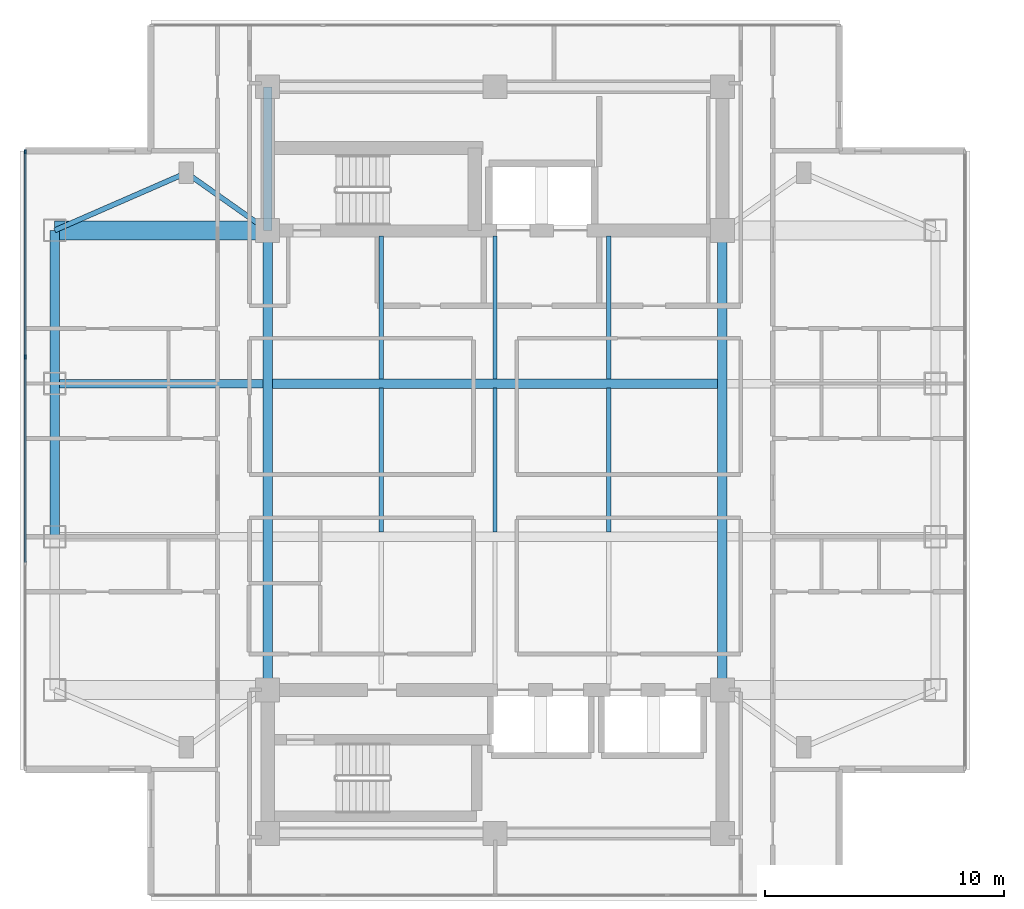
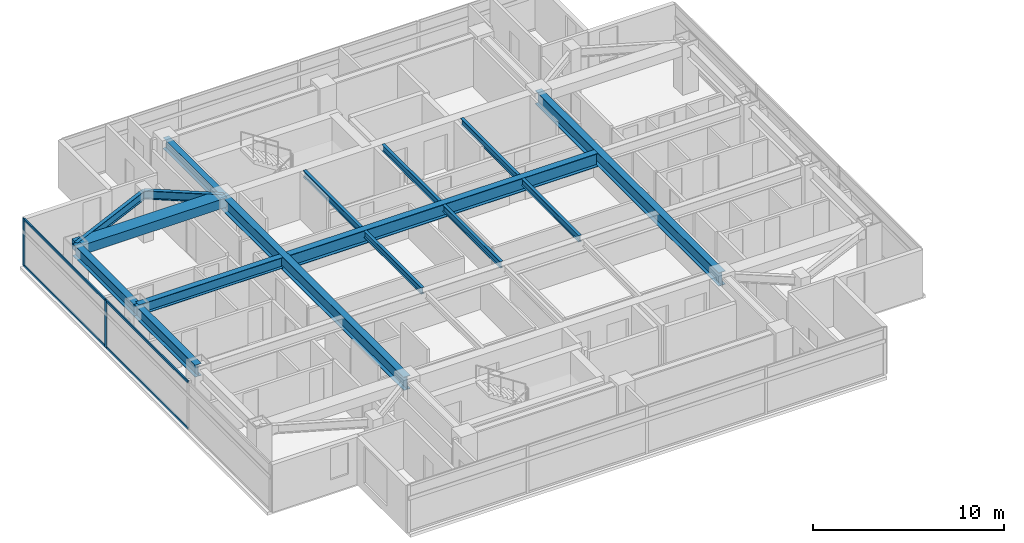
# One storey, part 3 of 24: 16 beams, 6 members, 1 element without a shape of its own.
"""IFC4 building model written with IfcOpenShell, lengths in metres."""

from ifc_helpers import new_model, si_unit, direction, frame, origin, origin_2d, place, context, subcontext, project, spatial, rectangle, i_section, extrude, material, material_profile, profile_set, type_object, element, aggregate, save


model = new_model("IFC4")

# Units and contexts
model_context = context("Model", 3, precision=1e-05, world=origin(), true_north=direction((0.0, 1.0)))
body_context = subcontext(model_context, "Body", "Model", "MODEL_VIEW")
ifc_project = project(units=[si_unit("LENGTHUNIT", "METRE"), si_unit("AREAUNIT", "SQUARE_METRE"), si_unit("VOLUMEUNIT", "CUBIC_METRE"), si_unit("PLANEANGLEUNIT", "RADIAN"), si_unit("MASSUNIT", "GRAM", prefix="KILO")], contexts=[model_context])

# Site, building, storey
site_placement = place(None, origin())
site = spatial("IfcSite", under=ifc_project, at=site_placement, CompositionType="ELEMENT")
building_placement = place(site_placement, origin())
building = spatial("IfcBuilding", under=site, at=building_placement, Name="Mirazonda Arch Towers", CompositionType="ELEMENT")
storey_placement = place(building_placement, frame((0.0, 0.0, 154.39990234375)))
storey = spatial("IfcBuildingStorey", under=building, at=storey_placement, Name="L43", CompositionType="ELEMENT", Elevation=154.39990234375)

# Beams
ifc_material_1 = material(Name="Steel ASTM A992 Grade 50", Category="steel")
ifc_material_profile_1 = material_profile(ifc_material_1, i_section(OverallWidth=0.381103515625, OverallDepth=0.77294921875, WebThickness=0.0166015625, FlangeThickness=0.027099609375, at=origin_2d()), Name="W30X173")
ifc_profile_set_1 = profile_set([ifc_material_profile_1], Name="Steel ASTM A992 Grade 50")
beam_type_1 = type_object("IfcBeamType", Name="BM-EXT-W30X173", PredefinedType="USERDEFINED", material=ifc_profile_set_1)
beam_1_placement = place(storey_placement, frame((2.10009765625, 24.800048828125, 2.66357421875), z_axis=(0.0, 1.0, 0.0), x_axis=(-1.0, 0.0, 0.0)))
element("IfcBeam", 1, at=beam_1_placement, inside=storey, type_object=beam_type_1, Name="L43 Floor Beam BM-T1-L43-NS-W-24", ObjectType="GIRDER", PredefinedType="USERDEFINED", context=body_context, shape_type="SweptSolid", body=[
    extrude(i_section(OverallWidth=0.381103515625, OverallDepth=0.77294921875, WebThickness=0.0166015625, FlangeThickness=0.027099609375, at=origin_2d()), origin(), (0.0, 0.0, 1.0), 6.39990234375),
])
beam_2_placement = place(storey_placement, frame((2.10009765625, 31.199951171875, 2.66357421875), z_axis=(0.0, 1.0, 0.0), x_axis=(-1.0, 0.0, 0.0)))
element("IfcBeam", 2, at=beam_2_placement, inside=storey, type_object=beam_type_1, Name="L43 Floor Beam BM-T1-L43-NS-W-31", ObjectType="GIRDER", PredefinedType="USERDEFINED", context=body_context, shape_type="SweptSolid", body=[
    extrude(i_section(OverallWidth=0.381103515625, OverallDepth=0.77294921875, WebThickness=0.0166015625, FlangeThickness=0.027099609375, at=origin_2d()), origin(), (0.0, 0.0, 1.0), 6.400146484375),
])
ifc_material_profile_2 = material_profile(ifc_material_1, i_section(OverallWidth=0.180908203125, OverallDepth=0.4169921875, WebThickness=0.010986328125, FlangeThickness=0.018310546875, at=origin_2d()), Name="W16X57")
ifc_profile_set_2 = profile_set([ifc_material_profile_2], Name="Steel ASTM A992 Grade 50")
beam_type_2 = type_object("IfcBeamType", Name="BM-INT-W16X57", PredefinedType="JOIST", material=ifc_profile_set_2)
beam_3_placement = place(storey_placement, frame((15.75, 31.39599609375, 2.841552734375), z_axis=(0.0, 1.0, 0.0), x_axis=(-1.0, 0.0, 0.0)))
element("IfcBeam", 3, at=beam_3_placement, inside=storey, type_object=beam_type_2, Name="L43 Floor Beam BM-T1-L43-J-157-31", PredefinedType="JOIST", context=body_context, shape_type="SweptSolid", body=[
    extrude(i_section(OverallWidth=0.180908203125, OverallDepth=0.4169921875, WebThickness=0.010986328125, FlangeThickness=0.018310546875, at=origin_2d()), origin(), (0.0, 0.0, 1.0), 5.964111328125),
])
beam_4_placement = place(storey_placement, frame((15.75, 24.99609375, 2.841552734375), z_axis=(0.0, 1.0, 0.0), x_axis=(-1.0, 0.0, 0.0)))
element("IfcBeam", 4, at=beam_4_placement, inside=storey, type_object=beam_type_2, Name="L43 Floor Beam BM-T1-L43-J-157-24", PredefinedType="JOIST", context=body_context, shape_type="SweptSolid", body=[
    extrude(i_section(OverallWidth=0.180908203125, OverallDepth=0.4169921875, WebThickness=0.010986328125, FlangeThickness=0.018310546875, at=origin_2d()), origin(), (0.0, 0.0, 1.0), 6.0078125),
])
beam_5_placement = place(storey_placement, frame((20.5, 31.39599609375, 2.841552734375), z_axis=(0.0, 1.0, 0.0), x_axis=(-1.0, 0.0, 0.0)))
element("IfcBeam", 5, at=beam_5_placement, inside=storey, type_object=beam_type_2, Name="L43 Floor Beam BM-T1-L43-J-205-31", PredefinedType="JOIST", context=body_context, shape_type="SweptSolid", body=[
    extrude(i_section(OverallWidth=0.180908203125, OverallDepth=0.4169921875, WebThickness=0.010986328125, FlangeThickness=0.018310546875, at=origin_2d()), origin(), (0.0, 0.0, 1.0), 5.964111328125),
])
beam_6_placement = place(storey_placement, frame((20.5, 24.99609375, 2.841552734375), z_axis=(0.0, 1.0, 0.0), x_axis=(-1.0, 0.0, 0.0)))
element("IfcBeam", 6, at=beam_6_placement, inside=storey, type_object=beam_type_2, Name="L43 Floor Beam BM-T1-L43-J-205-24", PredefinedType="JOIST", context=body_context, shape_type="SweptSolid", body=[
    extrude(i_section(OverallWidth=0.180908203125, OverallDepth=0.4169921875, WebThickness=0.010986328125, FlangeThickness=0.018310546875, at=origin_2d()), origin(), (0.0, 0.0, 1.0), 6.0078125),
])
beam_7_placement = place(storey_placement, frame((25.25, 31.39599609375, 2.841552734375), z_axis=(0.0, 1.0, 0.0), x_axis=(-1.0, 0.0, 0.0)))
element("IfcBeam", 7, at=beam_7_placement, inside=storey, type_object=beam_type_2, Name="L43 Floor Beam BM-T1-L43-J-252-31", PredefinedType="JOIST", context=body_context, shape_type="SweptSolid", body=[
    extrude(i_section(OverallWidth=0.180908203125, OverallDepth=0.4169921875, WebThickness=0.010986328125, FlangeThickness=0.018310546875, at=origin_2d()), origin(), (0.0, 0.0, 1.0), 5.964111328125),
])
beam_8_placement = place(storey_placement, frame((25.25, 24.99609375, 2.841552734375), z_axis=(0.0, 1.0, 0.0), x_axis=(-1.0, 0.0, 0.0)))
element("IfcBeam", 8, at=beam_8_placement, inside=storey, type_object=beam_type_2, Name="L43 Floor Beam BM-T1-L43-J-252-24", PredefinedType="JOIST", context=body_context, shape_type="SweptSolid", body=[
    extrude(i_section(OverallWidth=0.180908203125, OverallDepth=0.4169921875, WebThickness=0.010986328125, FlangeThickness=0.018310546875, at=origin_2d()), origin(), (0.0, 0.0, 1.0), 6.0078125),
])
ifc_material_profile_3 = material_profile(ifc_material_1, i_section(OverallWidth=0.214111328125, OverallDepth=0.549072265625, WebThickness=0.0146484375, FlangeThickness=0.023681640625, at=origin_2d()), Name="W21X93")
ifc_profile_set_3 = profile_set([ifc_material_profile_3], Name="Steel ASTM A992 Grade 50")
beam_type_3 = type_object("IfcBeamType", Name="BM-INT-W21X93", PredefinedType="BEAM", material=ifc_profile_set_3)
beam_9_placement = place(storey_placement, frame((7.60009765625, 40.0, 2.775634765625), z_axis=(0.816971114901, -0.576678591087, 0.0), x_axis=(0.576678591087, 0.816971114901, 0.0)))
element("IfcBeam", 9, at=beam_9_placement, inside=storey, type_object=beam_type_3, Name="L43 Floor Beam BM-T1-L43-PL-NW1", PredefinedType="BEAM", context=body_context, shape_type="SweptSolid", body=[
    extrude(i_section(OverallWidth=0.214111328125, OverallDepth=0.549072265625, WebThickness=0.0146484375, FlangeThickness=0.023681640625, at=origin_2d()), origin(), (0.0, 0.0, 1.0), 4.16162109375),
])
beam_10_placement = place(storey_placement, frame((7.60009765625, 40.0, 2.775634765625), z_axis=(-0.916545343703, -0.399930785183, 0.0), x_axis=(0.399930785183, -0.916545343703, 0.0)))
element("IfcBeam", 10, at=beam_10_placement, inside=storey, type_object=beam_type_3, Name="L43 Floor Beam BM-T1-L43-PL-NW2", PredefinedType="BEAM", context=body_context, shape_type="SweptSolid", body=[
    extrude(i_section(OverallWidth=0.214111328125, OverallDepth=0.549072265625, WebThickness=0.0146484375, FlangeThickness=0.023681640625, at=origin_2d()), origin(), (0.0, 0.0, 1.0), 6.000732421875),
])
ifc_material_profile_4 = material_profile(ifc_material_1, i_section(OverallWidth=0.35498046875, OverallDepth=0.696044921875, WebThickness=0.015380859375, FlangeThickness=0.02490234375, at=origin_2d()), Name="W27X146")
ifc_profile_set_4 = profile_set([ifc_material_profile_4], Name="Steel ASTM A992 Grade 50")
beam_type_4 = type_object("IfcBeamType", Name="BM-INT-W27X146", PredefinedType="BEAM", material=ifc_profile_set_4)
beam_11_placement = place(storey_placement, frame((2.10009765625, 31.199951171875, 2.7021484375), z_axis=(1.0, 0.0, 0.0), x_axis=(0.0, 1.0, 0.0)))
element("IfcBeam", 11, at=beam_11_placement, inside=storey, type_object=beam_type_4, Name="L43 Floor Beam BM-T1-L43-GW3", PredefinedType="BEAM", context=body_context, shape_type="SweptSolid", body=[
    extrude(i_section(OverallWidth=0.35498046875, OverallDepth=0.696044921875, WebThickness=0.015380859375, FlangeThickness=0.02490234375, at=origin_2d()), origin(), (0.0, 0.0, 1.0), 8.699951171875),
])
beam_12_placement = place(storey_placement, frame((11.0, 37.60009765625, 2.7021484375), z_axis=(0.0, 1.0, 0.0), x_axis=(-1.0, 0.0, 0.0)))
element("IfcBeam", 12, at=beam_12_placement, inside=storey, type_object=beam_type_4, Name="L43 Floor Beam BM-T1-L43-CNW", PredefinedType="BEAM", context=body_context, shape_type="SweptSolid", body=[
    extrude(i_section(OverallWidth=0.35498046875, OverallDepth=0.696044921875, WebThickness=0.015380859375, FlangeThickness=0.02490234375, at=origin_2d()), origin(), (0.0, 0.0, 1.0), 6.0),
])
ifc_material_profile_5 = material_profile(ifc_material_1, i_section(OverallWidth=0.39990234375, OverallDepth=0.85595703125, WebThickness=0.018310546875, FlangeThickness=0.029296875, at=origin_2d()), Name="W33X201")
ifc_profile_set_5 = profile_set([ifc_material_profile_5], Name="Steel ASTM A992 Grade 50")
beam_type_5 = type_object("IfcBeamType", Name="BM-INT-W33X201", PredefinedType="USERDEFINED", material=ifc_profile_set_5)
beam_13_placement = place(storey_placement, frame((11.199951171875, 31.199951171875, 2.6220703125), z_axis=(1.0, 0.0, 0.0), x_axis=(0.0, 1.0, 0.0)))
element("IfcBeam", 13, at=beam_13_placement, inside=storey, type_object=beam_type_5, Name="L43 Floor Beam BM-T1-L43-GC3", ObjectType="GIRDER", PredefinedType="USERDEFINED", context=body_context, shape_type="SweptSolid", body=[
    extrude(i_section(OverallWidth=0.39990234375, OverallDepth=0.85595703125, WebThickness=0.018310546875, FlangeThickness=0.029296875, at=origin_2d()), origin(), (0.0, 0.0, 1.0), 18.60009765625),
])
for number, where, z_axis, x_axis, name in (
    (14, (11.0, 18.39990234375, 2.6220703125), (0.0, 1.0, 0.0), (-1.0, 0.0, 0.0), "L43 Floor Beam BM-T1-L43-NS-CW-FULL"),
    (15, (30.0, 18.39990234375, 2.6220703125), (0.0, 1.0, 0.0), (-1.0, 0.0, 0.0), "L43 Floor Beam BM-T1-L43-NS-CE-FULL"),
):
    element("IfcBeam", number, at=place(storey_placement, frame(where, z_axis=z_axis, x_axis=x_axis)), inside=storey, type_object=beam_type_5, Name=name, ObjectType="GIRDER", PredefinedType="USERDEFINED", context=body_context, shape_type="SweptSolid", body=[
        extrude(i_section(OverallWidth=0.39990234375, OverallDepth=0.85595703125, WebThickness=0.018310546875, FlangeThickness=0.029296875, at=origin_2d()), origin(), (0.0, 0.0, 1.0), 19.2001953125),
    ])
ifc_material_2 = material(Name="Concrete C60/75", Category="concrete")
ifc_material_profile_6 = material_profile(ifc_material_2, rectangle(XDim=0.800048828125, YDim=0.60009765625, at=origin_2d()), Name="RCCB800x600")
ifc_profile_set_6 = profile_set([ifc_material_profile_6], Name="Concrete C60/75")
beam_type_6 = type_object("IfcBeamType", Name="CB-INT-RCCB800x600", PredefinedType="SPANDREL", material=ifc_profile_set_6)
beam_14_placement = place(storey_placement, frame((2.10009765625, 37.60009765625, 2.75), z_axis=(1.0, 0.0, 0.0), x_axis=(0.0, 1.0, 0.0)))
element("IfcBeam", 16, at=beam_14_placement, inside=storey, type_object=beam_type_6, Name="L43 Floor Beam CBC-T1-L43-NW", PredefinedType="SPANDREL", context=body_context, shape_type="SweptSolid", body=[
    extrude(rectangle(XDim=0.800048828125, YDim=0.60009765625, at=origin_2d()), origin(), (0.0, 0.0, 1.0), 8.89990234375),
])

# Curtain wall, members
ifc_material_3 = material(Name="Anodised Aluminium and Low-E Glass", Category="aluminium")
curtain_wall_type = type_object("IfcCurtainWallType", Name="CW-RES-UNIT", PredefinedType="NOTDEFINED", material=ifc_material_3)
curtain_wall_placement = place(storey_placement, origin())
curtain_wall = element("IfcCurtainWall", 17, at=curtain_wall_placement, inside=storey, type_object=curtain_wall_type, Name="L43 T1 W Facade CW-L43-T1-W", PredefinedType="NOTDEFINED")
ifc_material_4 = material(Name="Anodised Aluminium Alloy", Category="aluminium")
ifc_material_profile_7 = material_profile(ifc_material_4, rectangle(XDim=0.074951171875, YDim=0.175048828125, at=origin_2d()), Name="ALU-MULL-75x175")
ifc_profile_set_7 = profile_set([ifc_material_profile_7], Name="Anodised Aluminium Alloy")
member_type_1 = type_object("IfcMemberType", Name="MULL-CW-RES-UNIT", PredefinedType="MULLION", material=ifc_profile_set_7)
member_1_placement = place(storey_placement, frame((0.8701171875, 40.887451171875, 0.0), z_axis=(0.0, 0.0, 1.0), x_axis=(1.0, 0.0, 0.0)))
member_1 = element("IfcMember", 18, at=member_1_placement, type_object=member_type_1, Name="CW-104 mullion 1", PredefinedType="MULLION", context=body_context, shape_type="SweptSolid", body=[
    extrude(rectangle(XDim=0.074951171875, YDim=0.175048828125, at=origin_2d()), origin(), (0.0, 0.0, 1.0), 3.030029296875),
])
member_2_placement = place(storey_placement, frame((0.8701171875, 32.308349609375, 0.0), z_axis=(0.0, 0.0, 1.0), x_axis=(1.0, 0.0, 0.0)))
member_2 = element("IfcMember", 19, at=member_2_placement, type_object=member_type_1, Name="CW-104 mullion 2", PredefinedType="MULLION", context=body_context, shape_type="SweptSolid", body=[
    extrude(rectangle(XDim=0.074951171875, YDim=0.175048828125, at=origin_2d()), origin(), (0.0, 0.0, 1.0), 3.030029296875),
])
ifc_material_profile_8 = material_profile(ifc_material_4, rectangle(XDim=0.074951171875, YDim=0.155029296875, at=origin_2d()), Name="ALU-TRAN-75x155")
ifc_profile_set_8 = profile_set([ifc_material_profile_8], Name="Anodised Aluminium Alloy")
member_type_2 = type_object("IfcMemberType", Name="TRAN-CW-RES-UNIT", PredefinedType="USERDEFINED", material=ifc_profile_set_8)
member_3_placement = place(storey_placement, frame((0.8701171875, 40.85009765625, 0.03759765625), z_axis=(0.0, -1.0, 0.0), x_axis=(1.0, 0.0, 0.0)))
member_3 = element("IfcMember", 20, at=member_3_placement, type_object=member_type_2, Name="CW-104 transom 1.1", ObjectType="TRANSOM", PredefinedType="USERDEFINED", context=body_context, shape_type="SweptSolid", body=[
    extrude(rectangle(XDim=0.074951171875, YDim=0.155029296875, at=origin_2d()), origin(), (0.0, 0.0, 1.0), 8.504150390625),
])
member_4_placement = place(storey_placement, frame((0.8701171875, 40.85009765625, 2.99267578125), z_axis=(0.0, -1.0, 0.0), x_axis=(1.0, 0.0, 0.0)))
member_4 = element("IfcMember", 21, at=member_4_placement, type_object=member_type_2, Name="CW-104 transom 1.2", ObjectType="TRANSOM", PredefinedType="USERDEFINED", context=body_context, shape_type="SweptSolid", body=[
    extrude(rectangle(XDim=0.074951171875, YDim=0.155029296875, at=origin_2d()), origin(), (0.0, 0.0, 1.0), 8.504150390625),
])
member_5_placement = place(storey_placement, frame((0.8701171875, 32.270751953125, 0.03759765625), z_axis=(0.0, -1.0, 0.0), x_axis=(1.0, 0.0, 0.0)))
member_5 = element("IfcMember", 22, at=member_5_placement, type_object=member_type_2, Name="CW-104 transom 2.1", ObjectType="TRANSOM", PredefinedType="USERDEFINED", context=body_context, shape_type="SweptSolid", body=[
    extrude(rectangle(XDim=0.074951171875, YDim=0.155029296875, at=origin_2d()), origin(), (0.0, 0.0, 1.0), 8.54150390625),
])
member_6_placement = place(storey_placement, frame((0.8701171875, 32.270751953125, 2.99267578125), z_axis=(0.0, -1.0, 0.0), x_axis=(1.0, 0.0, 0.0)))
member_6 = element("IfcMember", 23, at=member_6_placement, type_object=member_type_2, Name="CW-104 transom 2.2", ObjectType="TRANSOM", PredefinedType="USERDEFINED", context=body_context, shape_type="SweptSolid", body=[
    extrude(rectangle(XDim=0.074951171875, YDim=0.155029296875, at=origin_2d()), origin(), (0.0, 0.0, 1.0), 8.54150390625),
])
aggregate(curtain_wall, [member_1, member_2, member_3, member_4, member_5, member_6])

save(model, "model.ifc")
